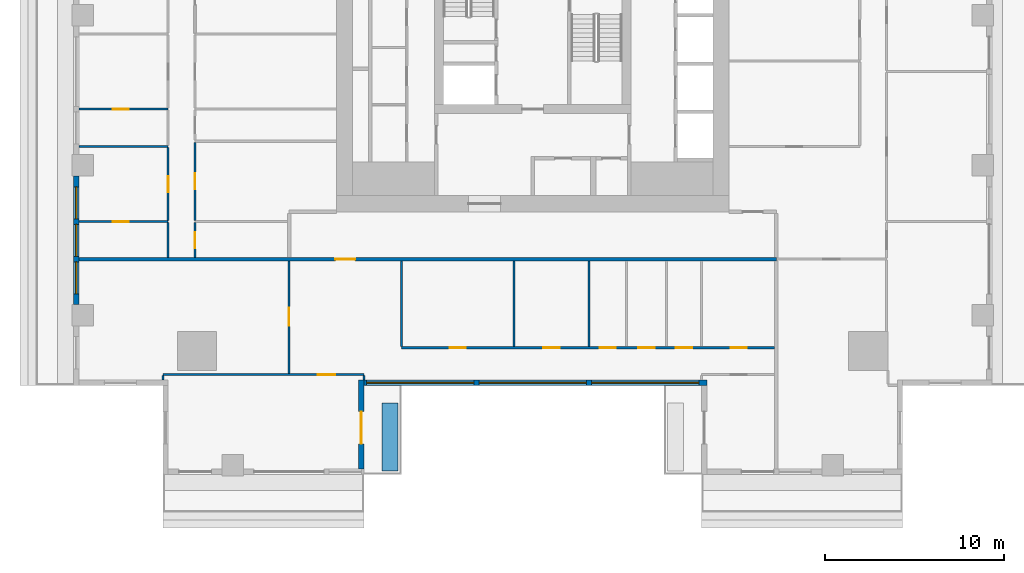
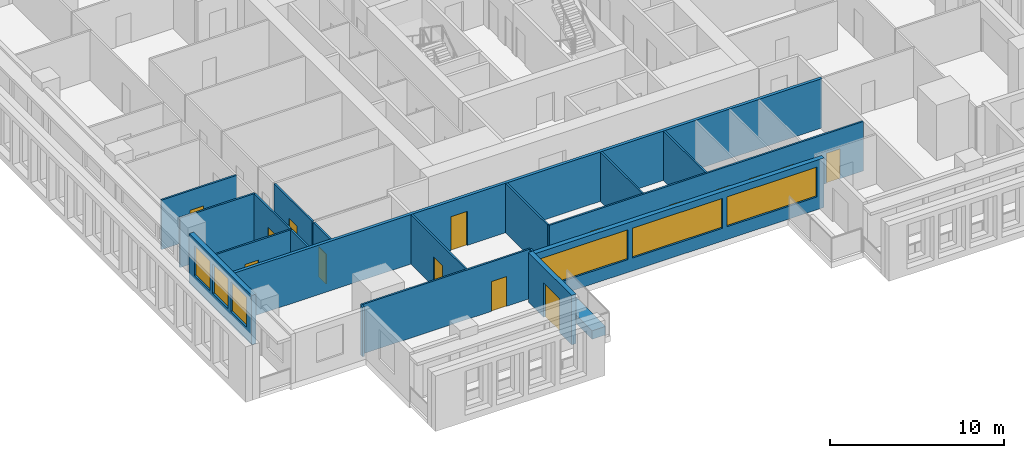
# One storey, part 2 of 14: 20 walls, 15 doors, 6 windows, 21 openings.
"""IFC4 building model written with IfcOpenShell, lengths in metres."""

from ifc_helpers import new_model, si_unit, direction, frame, frame_2d, origin, place, context, subcontext, project, spatial, rectangle, extrude, material, layer, layer_set, type_object, element, fill, save


model = new_model("IFC4")

# Units and contexts
model_context = context("Model", 3, precision=1e-05, world=origin(), true_north=direction((0.0, 1.0)))
body_context = subcontext(model_context, "Body", "Model", "MODEL_VIEW")
ifc_project = project(units=[si_unit("LENGTHUNIT", "METRE"), si_unit("AREAUNIT", "SQUARE_METRE"), si_unit("VOLUMEUNIT", "CUBIC_METRE"), si_unit("PLANEANGLEUNIT", "RADIAN"), si_unit("MASSUNIT", "GRAM", prefix="KILO")], contexts=[model_context])

# Site, building, storey
site_placement = place(None, origin())
site = spatial("IfcSite", under=ifc_project, at=site_placement, CompositionType="ELEMENT")
building_placement = place(site_placement, origin())
building = spatial("IfcBuilding", under=site, at=building_placement, Name="Khepri Terraces", CompositionType="ELEMENT")
storey_placement = place(building_placement, frame((0.0, 0.0, 264.0)))
storey = spatial("IfcBuildingStorey", under=building, at=storey_placement, Name="L63", CompositionType="ELEMENT", Elevation=264.0)

# Wall, opening, door
ifc_material_1 = material(Name="Fire-rated gypsum plasterboard partition, mineral wool")
ifc_layer_1 = layer(ifc_material_1, 0.199951171875, Name="Fire-rated gypsum plasterboard partition, mineral wool")
ifc_layer_set_1 = layer_set([ifc_layer_1], Name="Fire-rated gypsum plasterboard partition, mineral wool")
wall_type_1 = type_object("IfcWallType", Name="WL-CORR-200", PredefinedType="PARTITIONING", material=ifc_layer_set_1)
wall_1_placement = place(storey_placement, frame((-25.419921875, -13.64990234375, 0.0), z_axis=(0.0, 0.0, 1.0), x_axis=(1.0, 0.0, 0.0)))
wall_1 = element("IfcWall", 1, at=wall_1_placement, inside=storey, type_object=wall_type_1, Name="Partition P-018 L63", PredefinedType="PARTITIONING", context=body_context, shape_type="SweptSolid", body=[
    extrude(rectangle(XDim=39.06982421875, YDim=0.199951171875, at=frame_2d((19.534912109375, 0.0))), origin(), (0.0, 0.0, 1.0), 3.47998046875),
])
opening_1_placement = place(wall_1_placement, frame((14.3701171875, 0.0, 0.0)))
opening_1 = element("IfcOpeningElement", 2, at=opening_1_placement, cuts=wall_1, Name="Opening D1", PredefinedType="OPENING", context=body_context, shape_type="SweptSolid", body=[
    extrude(rectangle(XDim=1.10009765625, YDim=2.39990234375, at=frame_2d((0.550048828125, 1.199951171875))), frame((0.0, 0.10986328125, 0.0), z_axis=(0.0, -1.0, 0.0), x_axis=(1.0, 0.0, 0.0)), (0.0, 0.0, 1.0), 0.219970703125),
])
ifc_material_2 = material(Name="Solid-core timber door leaf, flat entrance door", Category="wood")
door_type_1 = type_object("IfcDoorType", Name="DR-ENT-1100", OperationType="NOTDEFINED", PredefinedType="DOOR", material=ifc_material_2)
door_1_placement = place(opening_1_placement, frame((1.10009765625, 0.0, 0.0), z_axis=(0.0, 0.0, 1.0), x_axis=(-1.0, 0.0, 0.0)))
door_1 = element("IfcDoor", 3, at=door_1_placement, inside=storey, type_object=door_type_1, Name="Flat A1 entrance door", OperationType="SINGLE_SWING_RIGHT", OverallHeight=2.39990234375, OverallWidth=1.10009765625, PredefinedType="DOOR", context=body_context, shape_type="SweptSolid", body=[
    extrude(rectangle(XDim=1.10009765625, YDim=2.39990234375, at=frame_2d((0.550048828125, 1.199951171875))), frame((0.0, 0.02490234375, 0.0), z_axis=(0.0, -1.0, 0.0), x_axis=(1.0, 0.0, 0.0)), (0.0, 0.0, 1.0), 0.050048828125),
])
fill(opening_1, door_1)

# Wall, openings, windows
ifc_material_3 = material(Name="Precast concrete C50/60 warm stone", Category="masonry")
ifc_layer_2 = layer(ifc_material_3, 0.300048828125, Name="Precast concrete C50/60 warm stone", Category="masonry")
ifc_layer_set_2 = layer_set([ifc_layer_2], Name="Precast concrete C50/60 warm stone")
wall_type_2 = type_object("IfcWallType", Name="WL-EXT-PRECAST-300", PredefinedType="STANDARD", material=ifc_layer_set_2)
wall_2_placement = place(storey_placement, frame((-25.570068359375, -9.0, 0.0), z_axis=(0.0, 0.0, 1.0), x_axis=(0.0, -1.0, 0.0)))
wall_2 = element("IfcWall", 4, at=wall_2_placement, inside=storey, type_object=wall_type_2, Name="External wall L63 W", PredefinedType="STANDARD", context=body_context, shape_type="SweptSolid", body=[
    extrude(rectangle(XDim=7.199951171875, YDim=0.300048828125, at=frame_2d((3.60009765625, 0.0))), origin(), (0.0, 0.0, 1.0), 3.47998046875),
])
opening_2_placement = place(wall_2_placement, frame((0.60009765625, 0.0, 0.89990234375)))
opening_2 = element("IfcOpeningElement", 5, at=opening_2_placement, cuts=wall_2, Name="Opening W1", PredefinedType="OPENING", context=body_context, shape_type="SweptSolid", body=[
    extrude(rectangle(XDim=1.800048828125, YDim=2.10009765625, at=frame_2d((0.89990234375, 1.050048828125))), frame((0.0, 0.16015625, 0.0), z_axis=(0.0, -1.0, 0.0), x_axis=(1.0, 0.0, 0.0)), (0.0, 0.0, 1.0), 0.320068359375),
])
opening_3_placement = place(wall_2_placement, frame((2.699951171875, 0.0, 0.89990234375)))
opening_3 = element("IfcOpeningElement", 6, at=opening_3_placement, cuts=wall_2, Name="Opening W1", PredefinedType="OPENING", context=body_context, shape_type="SweptSolid", body=[
    extrude(rectangle(XDim=1.800048828125, YDim=2.10009765625, at=frame_2d((0.89990234375, 1.050048828125))), frame((0.0, 0.16015625, 0.0), z_axis=(0.0, -1.0, 0.0), x_axis=(1.0, 0.0, 0.0)), (0.0, 0.0, 1.0), 0.320068359375),
])
opening_4_placement = place(wall_2_placement, frame((4.800048828125, 0.0, 0.89990234375)))
opening_4 = element("IfcOpeningElement", 7, at=opening_4_placement, cuts=wall_2, Name="Opening W1", PredefinedType="OPENING", context=body_context, shape_type="SweptSolid", body=[
    extrude(rectangle(XDim=1.800048828125, YDim=2.10009765625, at=frame_2d((0.89990234375, 1.050048828125))), frame((0.0, 0.16015625, 0.0), z_axis=(0.0, -1.0, 0.0), x_axis=(1.0, 0.0, 0.0)), (0.0, 0.0, 1.0), 0.320068359375),
])
ifc_material_4 = material(Name="Clear glass", Category="glass")
window_type_1 = type_object("IfcWindowType", Name="WIN-RES-1800x2100", PartitioningType="SINGLE_PANEL", PredefinedType="WINDOW", material=ifc_material_4)
window_1_placement = place(opening_2_placement, origin())
window_1 = element("IfcWindow", 8, at=window_1_placement, inside=storey, type_object=window_type_1, Name="Window L63 W", OverallHeight=2.10009765625, OverallWidth=1.800048828125, PartitioningType="SINGLE_PANEL", PredefinedType="WINDOW", context=body_context, shape_type="SweptSolid", body=[
    extrude(rectangle(XDim=1.800048828125, YDim=2.10009765625, at=frame_2d((0.89990234375, 1.050048828125))), frame((0.0, 0.030029296875, 0.0), z_axis=(0.0, -1.0, 0.0), x_axis=(1.0, 0.0, 0.0)), (0.0, 0.0, 1.0), 0.06005859375),
])
fill(opening_2, window_1)
window_2_placement = place(opening_3_placement, origin())
window_2 = element("IfcWindow", 9, at=window_2_placement, inside=storey, type_object=window_type_1, Name="Window L63 W", OverallHeight=2.10009765625, OverallWidth=1.800048828125, PartitioningType="SINGLE_PANEL", PredefinedType="WINDOW", context=body_context, shape_type="SweptSolid", body=[
    extrude(rectangle(XDim=1.800048828125, YDim=2.10009765625, at=frame_2d((0.89990234375, 1.050048828125))), frame((0.0, 0.030029296875, 0.0), z_axis=(0.0, -1.0, 0.0), x_axis=(1.0, 0.0, 0.0)), (0.0, 0.0, 1.0), 0.06005859375),
])
fill(opening_3, window_2)
window_3_placement = place(opening_4_placement, origin())
window_3 = element("IfcWindow", 10, at=window_3_placement, inside=storey, type_object=window_type_1, Name="Window L63 W", OverallHeight=2.10009765625, OverallWidth=1.800048828125, PartitioningType="SINGLE_PANEL", PredefinedType="WINDOW", context=body_context, shape_type="SweptSolid", body=[
    extrude(rectangle(XDim=1.800048828125, YDim=2.10009765625, at=frame_2d((0.89990234375, 1.050048828125))), frame((0.0, 0.030029296875, 0.0), z_axis=(0.0, -1.0, 0.0), x_axis=(1.0, 0.0, 0.0)), (0.0, 0.0, 1.0), 0.06005859375),
])
fill(opening_4, window_3)

# Wall, opening, door
wall_3_placement = place(storey_placement, frame((-9.60009765625, -25.419921875, 0.0), z_axis=(0.0, 0.0, 1.0), x_axis=(0.0, 1.0, 0.0)))
wall_3 = element("IfcWall", 11, at=wall_3_placement, inside=storey, type_object=wall_type_2, Name="External wall L63 E", PredefinedType="STANDARD", context=body_context, shape_type="SweptSolid", body=[
    extrude(rectangle(XDim=5.0, YDim=0.300048828125, at=frame_2d((2.5, 0.0))), origin(), (0.0, 0.0, 1.0), 3.47998046875),
])
opening_5_placement = place(wall_3_placement, frame((1.419921875, 0.0, 0.0)))
opening_5 = element("IfcOpeningElement", 12, at=opening_5_placement, cuts=wall_3, Name="Opening ED-L63-17", PredefinedType="OPENING", context=body_context, shape_type="SweptSolid", body=[
    extrude(rectangle(XDim=1.800048828125, YDim=2.39990234375, at=frame_2d((0.89990234375, 1.199951171875))), frame((0.0, 0.16015625, 0.0), z_axis=(0.0, -1.0, 0.0), x_axis=(1.0, 0.0, 0.0)), (0.0, 0.0, 1.0), 0.320068359375),
])
ifc_material_5 = material(Name="Anodised aluminium bronze glazed door", Category="aluminium")
door_type_2 = type_object("IfcDoorType", Name="DR-BAL-SLIDE-1800x2400", OperationType="NOTDEFINED", PredefinedType="DOOR", material=ifc_material_5)
door_2_placement = place(opening_5_placement, origin())
door_2 = element("IfcDoor", 13, at=door_2_placement, inside=storey, type_object=door_type_2, Name="Balcony door L63 E", OperationType="SLIDING_TO_LEFT", OverallHeight=2.39990234375, OverallWidth=1.800048828125, PredefinedType="DOOR", context=body_context, shape_type="SweptSolid", body=[
    extrude(rectangle(XDim=1.800048828125, YDim=2.39990234375, at=frame_2d((0.89990234375, 1.199951171875))), frame((0.0, 0.02490234375, 0.0), z_axis=(0.0, -1.0, 0.0), x_axis=(1.0, 0.0, 0.0)), (0.0, 0.0, 1.0), 0.050048828125),
])
fill(opening_5, door_2)

# Wall, openings, windows
wall_4_placement = place(storey_placement, frame((-9.449951171875, -20.570068359375, 0.0), z_axis=(0.0, 0.0, 1.0), x_axis=(1.0, 0.0, 0.0)))
wall_4 = element("IfcWall", 14, at=wall_4_placement, inside=storey, type_object=wall_type_2, Name="External wall L63 S", PredefinedType="STANDARD", context=body_context, shape_type="SweptSolid", body=[
    extrude(rectangle(XDim=19.199951171875, YDim=0.300048828125, at=frame_2d((9.60009765625, 0.0))), origin(), (0.0, 0.0, 1.0), 3.47998046875),
])
opening_6_placement = place(wall_4_placement, frame((0.14990234375, 0.0, 0.89990234375)))
opening_6 = element("IfcOpeningElement", 15, at=opening_6_placement, cuts=wall_4, Name="Opening W3", PredefinedType="OPENING", context=body_context, shape_type="SweptSolid", body=[
    extrude(rectangle(XDim=6.0, YDim=2.10009765625, at=frame_2d((3.0, 1.050048828125))), frame((0.0, 0.16015625, 0.0), z_axis=(0.0, -1.0, 0.0), x_axis=(1.0, 0.0, 0.0)), (0.0, 0.0, 1.0), 0.320068359375),
])
opening_7_placement = place(wall_4_placement, frame((6.449951171875, 0.0, 0.89990234375)))
opening_7 = element("IfcOpeningElement", 16, at=opening_7_placement, cuts=wall_4, Name="Opening W3", PredefinedType="OPENING", context=body_context, shape_type="SweptSolid", body=[
    extrude(rectangle(XDim=6.0, YDim=2.10009765625, at=frame_2d((3.0, 1.050048828125))), frame((0.0, 0.16015625, 0.0), z_axis=(0.0, -1.0, 0.0), x_axis=(1.0, 0.0, 0.0)), (0.0, 0.0, 1.0), 0.320068359375),
])
opening_8_placement = place(wall_4_placement, frame((12.75, 0.0, 0.89990234375)))
opening_8 = element("IfcOpeningElement", 17, at=opening_8_placement, cuts=wall_4, Name="Opening W3", PredefinedType="OPENING", context=body_context, shape_type="SweptSolid", body=[
    extrude(rectangle(XDim=6.0, YDim=2.10009765625, at=frame_2d((3.0, 1.050048828125))), frame((0.0, 0.16015625, 0.0), z_axis=(0.0, -1.0, 0.0), x_axis=(1.0, 0.0, 0.0)), (0.0, 0.0, 1.0), 0.320068359375),
])
window_type_2 = type_object("IfcWindowType", Name="WIN-RES-6000x2100", PartitioningType="SINGLE_PANEL", PredefinedType="WINDOW", material=ifc_material_4)
window_4_placement = place(opening_6_placement, origin())
window_4 = element("IfcWindow", 18, at=window_4_placement, inside=storey, type_object=window_type_2, Name="Window L63 S", OverallHeight=2.10009765625, OverallWidth=6.0, PartitioningType="SINGLE_PANEL", PredefinedType="WINDOW", context=body_context, shape_type="SweptSolid", body=[
    extrude(rectangle(XDim=6.0, YDim=2.10009765625, at=frame_2d((3.0, 1.050048828125))), frame((0.0, 0.030029296875, 0.0), z_axis=(0.0, -1.0, 0.0), x_axis=(1.0, 0.0, 0.0)), (0.0, 0.0, 1.0), 0.06005859375),
])
fill(opening_6, window_4)
window_5_placement = place(opening_7_placement, origin())
window_5 = element("IfcWindow", 19, at=window_5_placement, inside=storey, type_object=window_type_2, Name="Window L63 S", OverallHeight=2.10009765625, OverallWidth=6.0, PartitioningType="SINGLE_PANEL", PredefinedType="WINDOW", context=body_context, shape_type="SweptSolid", body=[
    extrude(rectangle(XDim=6.0, YDim=2.10009765625, at=frame_2d((3.0, 1.050048828125))), frame((0.0, 0.030029296875, 0.0), z_axis=(0.0, -1.0, 0.0), x_axis=(1.0, 0.0, 0.0)), (0.0, 0.0, 1.0), 0.06005859375),
])
fill(opening_7, window_5)
window_6_placement = place(opening_8_placement, origin())
window_6 = element("IfcWindow", 20, at=window_6_placement, inside=storey, type_object=window_type_2, Name="Window L63 S", OverallHeight=2.10009765625, OverallWidth=6.0, PartitioningType="SINGLE_PANEL", PredefinedType="WINDOW", context=body_context, shape_type="SweptSolid", body=[
    extrude(rectangle(XDim=6.0, YDim=2.10009765625, at=frame_2d((3.0, 1.050048828125))), frame((0.0, 0.030029296875, 0.0), z_axis=(0.0, -1.0, 0.0), x_axis=(1.0, 0.0, 0.0)), (0.0, 0.0, 1.0), 0.06005859375),
])
fill(opening_8, window_6)

# Walls
ifc_material_6 = material(Name="Gypsum plasterboard partition")
ifc_layer_3 = layer(ifc_material_6, 0.1201171875, Name="Gypsum plasterboard partition")
ifc_layer_set_3 = layer_set([ifc_layer_3], Name="Gypsum plasterboard partition")
wall_type_3 = type_object("IfcWallType", Name="WL-PART-120", PredefinedType="PARTITIONING", material=ifc_layer_set_3)
wall_5_placement = place(storey_placement, frame((-20.718994140625, -20.4208984375, 0.0), z_axis=(0.0, 0.0, 1.0), x_axis=(0.0, 1.0, 0.0)))
element("IfcWall", 21, at=wall_5_placement, inside=storey, type_object=wall_type_3, Name="Partition P-002 L63", PredefinedType="PARTITIONING", context=body_context, shape_type="SweptSolid", body=[
    extrude(rectangle(XDim=0.240966796875, YDim=0.1201171875, at=frame_2d((0.12060546875, 0.0))), origin(), (0.0, 0.0, 1.0), 3.47998046875),
])
wall_6_placement = place(storey_placement, frame((-9.449951171875, -20.419921875, 0.0), z_axis=(0.0, 0.0, 1.0), x_axis=(0.0, 1.0, 0.0)))
element("IfcWall", 22, at=wall_6_placement, inside=storey, type_object=wall_type_3, Name="Partition P-003 L63", PredefinedType="PARTITIONING", context=body_context, shape_type="SweptSolid", body=[
    extrude(rectangle(XDim=0.239990234375, YDim=0.1201171875, at=frame_2d((0.1201171875, 0.0))), origin(), (0.0, 0.0, 1.0), 3.47998046875),
])

# Wall, opening, door
wall_7_placement = place(storey_placement, frame((-20.718994140625, -20.1201171875, 0.0), z_axis=(0.0, 0.0, 1.0), x_axis=(1.0, 0.0, 0.0)))
wall_7 = element("IfcWall", 23, at=wall_7_placement, inside=storey, type_object=wall_type_3, Name="Partition P-007 L63", PredefinedType="PARTITIONING", context=body_context, shape_type="SweptSolid", body=[
    extrude(rectangle(XDim=11.26904296875, YDim=0.1201171875, at=frame_2d((5.634521484375, 0.0))), origin(), (0.0, 0.0, 1.0), 3.47998046875),
])
opening_9_placement = place(wall_7_placement, frame((8.6689453125, 0.0, 0.0)))
opening_9 = element("IfcOpeningElement", 24, at=opening_9_placement, cuts=wall_7, Name="Opening D2", PredefinedType="OPENING", context=body_context, shape_type="SweptSolid", body=[
    extrude(rectangle(XDim=1.0, YDim=2.10009765625, at=frame_2d((0.5, 1.050048828125))), frame((0.0, 0.070068359375, 0.0), z_axis=(0.0, -1.0, 0.0), x_axis=(1.0, 0.0, 0.0)), (0.0, 0.0, 1.0), 0.14013671875),
])
ifc_material_7 = material(Name="Timber door leaf, living room door", Category="wood")
door_type_3 = type_object("IfcDoorType", Name="DR-INT-1000", OperationType="NOTDEFINED", PredefinedType="DOOR", material=ifc_material_7)
door_3_placement = place(opening_9_placement, frame((1.0, 0.0, 0.0), z_axis=(0.0, 0.0, 1.0), x_axis=(-1.0, 0.0, 0.0)))
door_3 = element("IfcDoor", 25, at=door_3_placement, inside=storey, type_object=door_type_3, Name="Door Living Room", OperationType="SINGLE_SWING_LEFT", OverallHeight=2.10009765625, OverallWidth=1.0, PredefinedType="DOOR", context=body_context, shape_type="SweptSolid", body=[
    extrude(rectangle(XDim=1.0, YDim=2.10009765625, at=frame_2d((0.5, 1.050048828125))), frame((0.0, 0.02490234375, 0.0), z_axis=(0.0, -1.0, 0.0), x_axis=(1.0, 0.0, 0.0)), (0.0, 0.0, 1.0), 0.050048828125),
])
fill(opening_9, door_3)

wall_8_placement = place(storey_placement, frame((-13.64990234375, -20.06005859375, 0.0), z_axis=(0.0, 0.0, 1.0), x_axis=(0.0, 1.0, 0.0)))
wall_8 = element("IfcWall", 26, at=wall_8_placement, inside=storey, type_object=wall_type_3, Name="Partition P-009 L63", PredefinedType="PARTITIONING", context=body_context, shape_type="SweptSolid", body=[
    extrude(rectangle(XDim=6.31005859375, YDim=0.1201171875, at=frame_2d((3.155029296875, 0.0))), origin(), (0.0, 0.0, 1.0), 3.47998046875),
])
opening_10_placement = place(wall_8_placement, frame((2.675048828125, 0.0, 0.0)))
opening_10 = element("IfcOpeningElement", 27, at=opening_10_placement, cuts=wall_8, Name="Opening D2", PredefinedType="OPENING", context=body_context, shape_type="SweptSolid", body=[
    extrude(rectangle(XDim=1.0, YDim=2.10009765625, at=frame_2d((0.5, 1.050048828125))), frame((0.0, 0.070068359375, 0.0), z_axis=(0.0, -1.0, 0.0), x_axis=(1.0, 0.0, 0.0)), (0.0, 0.0, 1.0), 0.14013671875),
])
door_4_placement = place(opening_10_placement, origin())
door_4 = element("IfcDoor", 28, at=door_4_placement, inside=storey, type_object=door_type_3, Name="Door Family Room", OperationType="SINGLE_SWING_RIGHT", OverallHeight=2.10009765625, OverallWidth=1.0, PredefinedType="DOOR", context=body_context, shape_type="SweptSolid", body=[
    extrude(rectangle(XDim=1.0, YDim=2.10009765625, at=frame_2d((0.5, 1.050048828125))), frame((0.0, 0.02490234375, 0.0), z_axis=(0.0, -1.0, 0.0), x_axis=(1.0, 0.0, 0.0)), (0.0, 0.0, 1.0), 0.050048828125),
])
fill(opening_10, door_4)

# Wall, openings, doors
wall_9_placement = place(storey_placement, frame((-7.35009765625, -18.6201171875, 0.0), z_axis=(0.0, 0.0, 1.0), x_axis=(1.0, 0.0, 0.0)))
wall_9 = element("IfcWall", 29, at=wall_9_placement, inside=storey, type_object=wall_type_3, Name="Partition P-010 L63", PredefinedType="PARTITIONING", context=body_context, shape_type="SweptSolid", body=[
    extrude(rectangle(XDim=20.900146484375, YDim=0.1201171875, at=frame_2d((10.4501953125, 0.0))), origin(), (0.0, 0.0, 1.0), 3.47998046875),
])
opening_11_placement = place(wall_9_placement, frame((2.699951171875, 0.0, 0.0)))
opening_11 = element("IfcOpeningElement", 30, at=opening_11_placement, cuts=wall_9, Name="Opening D3", PredefinedType="OPENING", context=body_context, shape_type="SweptSolid", body=[
    extrude(rectangle(XDim=0.89990234375, YDim=2.10009765625, at=frame_2d((0.449951171875, 1.050048828125))), frame((0.0, 0.070068359375, 0.0), z_axis=(0.0, -1.0, 0.0), x_axis=(1.0, 0.0, 0.0)), (0.0, 0.0, 1.0), 0.14013671875),
])
opening_12_placement = place(wall_9_placement, frame((7.949951171875, 0.0, 0.0)))
opening_12 = element("IfcOpeningElement", 31, at=opening_12_placement, cuts=wall_9, Name="Opening D3", PredefinedType="OPENING", context=body_context, shape_type="SweptSolid", body=[
    extrude(rectangle(XDim=0.89990234375, YDim=2.10009765625, at=frame_2d((0.449951171875, 1.050048828125))), frame((0.0, 0.070068359375, 0.0), z_axis=(0.0, -1.0, 0.0), x_axis=(1.0, 0.0, 0.0)), (0.0, 0.0, 1.0), 0.14013671875),
])
opening_13_placement = place(wall_9_placement, frame((11.10009765625, 0.0, 0.0)))
opening_13 = element("IfcOpeningElement", 32, at=opening_13_placement, cuts=wall_9, Name="Opening D3", PredefinedType="OPENING", context=body_context, shape_type="SweptSolid", body=[
    extrude(rectangle(XDim=0.89990234375, YDim=2.10009765625, at=frame_2d((0.449951171875, 1.050048828125))), frame((0.0, 0.070068359375, 0.0), z_axis=(0.0, -1.0, 0.0), x_axis=(1.0, 0.0, 0.0)), (0.0, 0.0, 1.0), 0.14013671875),
])
opening_14_placement = place(wall_9_placement, frame((13.27490234375, 0.0, 0.0)))
opening_14 = element("IfcOpeningElement", 33, at=opening_14_placement, cuts=wall_9, Name="Opening D4", PredefinedType="OPENING", context=body_context, shape_type="SweptSolid", body=[
    extrude(rectangle(XDim=0.89990234375, YDim=2.10009765625, at=frame_2d((0.449951171875, 1.050048828125))), frame((0.0, 0.070068359375, 0.0), z_axis=(0.0, -1.0, 0.0), x_axis=(1.0, 0.0, 0.0)), (0.0, 0.0, 1.0), 0.14013671875),
])
opening_15_placement = place(wall_9_placement, frame((15.375, 0.0, 0.0)))
opening_15 = element("IfcOpeningElement", 34, at=opening_15_placement, cuts=wall_9, Name="Opening D4", PredefinedType="OPENING", context=body_context, shape_type="SweptSolid", body=[
    extrude(rectangle(XDim=0.89990234375, YDim=2.10009765625, at=frame_2d((0.449951171875, 1.050048828125))), frame((0.0, 0.070068359375, 0.0), z_axis=(0.0, -1.0, 0.0), x_axis=(1.0, 0.0, 0.0)), (0.0, 0.0, 1.0), 0.14013671875),
])
opening_16_placement = place(wall_9_placement, frame((18.449951171875, 0.0, 0.0)))
opening_16 = element("IfcOpeningElement", 35, at=opening_16_placement, cuts=wall_9, Name="Opening D3", PredefinedType="OPENING", context=body_context, shape_type="SweptSolid", body=[
    extrude(rectangle(XDim=0.89990234375, YDim=2.10009765625, at=frame_2d((0.449951171875, 1.050048828125))), frame((0.0, 0.070068359375, 0.0), z_axis=(0.0, -1.0, 0.0), x_axis=(1.0, 0.0, 0.0)), (0.0, 0.0, 1.0), 0.14013671875),
])
ifc_material_8 = material(Name="Timber door leaf", Category="wood")
door_type_4 = type_object("IfcDoorType", Name="DR-INT-900", OperationType="NOTDEFINED", PredefinedType="DOOR", material=ifc_material_8)
door_5_placement = place(opening_11_placement, origin())
door_5 = element("IfcDoor", 36, at=door_5_placement, inside=storey, type_object=door_type_4, Name="Door Kitchen", OperationType="SINGLE_SWING_LEFT", OverallHeight=2.10009765625, OverallWidth=0.89990234375, PredefinedType="DOOR", context=body_context, shape_type="SweptSolid", body=[
    extrude(rectangle(XDim=0.89990234375, YDim=2.10009765625, at=frame_2d((0.449951171875, 1.050048828125))), frame((0.0, 0.02490234375, 0.0), z_axis=(0.0, -1.0, 0.0), x_axis=(1.0, 0.0, 0.0)), (0.0, 0.0, 1.0), 0.050048828125),
])
fill(opening_11, door_5)
door_6_placement = place(opening_12_placement, origin())
door_6 = element("IfcDoor", 37, at=door_6_placement, inside=storey, type_object=door_type_4, Name="Door Service Store", OperationType="SINGLE_SWING_LEFT", OverallHeight=2.10009765625, OverallWidth=0.89990234375, PredefinedType="DOOR", context=body_context, shape_type="SweptSolid", body=[
    extrude(rectangle(XDim=0.89990234375, YDim=2.10009765625, at=frame_2d((0.449951171875, 1.050048828125))), frame((0.0, 0.02490234375, 0.0), z_axis=(0.0, -1.0, 0.0), x_axis=(1.0, 0.0, 0.0)), (0.0, 0.0, 1.0), 0.050048828125),
])
fill(opening_12, door_6)
door_7_placement = place(opening_13_placement, origin())
door_7 = element("IfcDoor", 38, at=door_7_placement, inside=storey, type_object=door_type_4, Name="Door Utility Room", OperationType="SINGLE_SWING_RIGHT", OverallHeight=2.10009765625, OverallWidth=0.89990234375, PredefinedType="DOOR", context=body_context, shape_type="SweptSolid", body=[
    extrude(rectangle(XDim=0.89990234375, YDim=2.10009765625, at=frame_2d((0.449951171875, 1.050048828125))), frame((0.0, 0.02490234375, 0.0), z_axis=(0.0, -1.0, 0.0), x_axis=(1.0, 0.0, 0.0)), (0.0, 0.0, 1.0), 0.050048828125),
])
fill(opening_13, door_7)
door_8_placement = place(opening_16_placement, origin())
door_8 = element("IfcDoor", 39, at=door_8_placement, inside=storey, type_object=door_type_4, Name="Door Staff Bedroom", OperationType="SINGLE_SWING_RIGHT", OverallHeight=2.10009765625, OverallWidth=0.89990234375, PredefinedType="DOOR", context=body_context, shape_type="SweptSolid", body=[
    extrude(rectangle(XDim=0.89990234375, YDim=2.10009765625, at=frame_2d((0.449951171875, 1.050048828125))), frame((0.0, 0.02490234375, 0.0), z_axis=(0.0, -1.0, 0.0), x_axis=(1.0, 0.0, 0.0)), (0.0, 0.0, 1.0), 0.050048828125),
])
fill(opening_16, door_8)
ifc_material_9 = material(Name="Timber door leaf, moisture resistant", Category="wood")
door_type_5 = type_object("IfcDoorType", Name="DR-WET-900", OperationType="NOTDEFINED", PredefinedType="DOOR", material=ifc_material_9)
door_9_placement = place(opening_14_placement, origin())
door_9 = element("IfcDoor", 40, at=door_9_placement, inside=storey, type_object=door_type_5, Name="Door Powder Room", OperationType="SINGLE_SWING_RIGHT", OverallHeight=2.10009765625, OverallWidth=0.89990234375, PredefinedType="DOOR", context=body_context, shape_type="SweptSolid", body=[
    extrude(rectangle(XDim=0.89990234375, YDim=2.10009765625, at=frame_2d((0.449951171875, 1.050048828125))), frame((0.0, 0.02490234375, 0.0), z_axis=(0.0, -1.0, 0.0), x_axis=(1.0, 0.0, 0.0)), (0.0, 0.0, 1.0), 0.050048828125),
])
fill(opening_14, door_9)
door_10_placement = place(opening_15_placement, origin())
door_10 = element("IfcDoor", 41, at=door_10_placement, inside=storey, type_object=door_type_5, Name="Door Guest Bathroom", OperationType="SINGLE_SWING_RIGHT", OverallHeight=2.10009765625, OverallWidth=0.89990234375, PredefinedType="DOOR", context=body_context, shape_type="SweptSolid", body=[
    extrude(rectangle(XDim=0.89990234375, YDim=2.10009765625, at=frame_2d((0.449951171875, 1.050048828125))), frame((0.0, 0.02490234375, 0.0), z_axis=(0.0, -1.0, 0.0), x_axis=(1.0, 0.0, 0.0)), (0.0, 0.0, 1.0), 0.050048828125),
])
fill(opening_15, door_10)

# Walls
for number, where, z_axis, x_axis, name in (
    (42, (-7.35009765625, -18.56005859375, 0.0), (0.0, 0.0, 1.0), (0.0, 1.0, 0.0), "Partition P-011 L63"),
    (43, (-1.050048828125, -18.56005859375, 0.0), (0.0, 0.0, 1.0), (0.0, 1.0, 0.0), "Partition P-012 L63"),
    (44, (3.14990234375, -18.56005859375, 0.0), (0.0, 0.0, 1.0), (0.0, 1.0, 0.0), "Partition P-013 L63"),
):
    element("IfcWall", number, at=place(storey_placement, frame(where, z_axis=z_axis, x_axis=x_axis)), inside=storey, type_object=wall_type_3, Name=name, PredefinedType="PARTITIONING", context=body_context, shape_type="SweptSolid", body=[
        extrude(rectangle(XDim=4.81005859375, YDim=0.1201171875, at=frame_2d((2.405029296875, 0.0))), origin(), (0.0, 0.0, 1.0), 3.47998046875),
    ])
wall_10_placement = place(storey_placement, frame((-20.419921875, -13.550048828125, 0.0), z_axis=(0.0, 0.0, 1.0), x_axis=(0.0, 1.0, 0.0)))
element("IfcWall", 45, at=wall_10_placement, inside=storey, type_object=wall_type_3, Name="Partition P-021 L63", PredefinedType="PARTITIONING", context=body_context, shape_type="SweptSolid", body=[
    extrude(rectangle(XDim=1.93994140625, YDim=0.1201171875, at=frame_2d((0.969970703125, 0.0))), origin(), (0.0, 0.0, 1.0), 3.47998046875),
])

# Wall, opening, door
wall_11_placement = place(storey_placement, frame((-18.919921875, -13.550048828125, 0.0), z_axis=(0.0, 0.0, 1.0), x_axis=(0.0, 1.0, 0.0)))
wall_11 = element("IfcWall", 46, at=wall_11_placement, inside=storey, type_object=wall_type_3, Name="Partition P-022 L63", PredefinedType="PARTITIONING", context=body_context, shape_type="SweptSolid", body=[
    extrude(rectangle(XDim=1.93994140625, YDim=0.1201171875, at=frame_2d((0.969970703125, 0.0))), origin(), (0.0, 0.0, 1.0), 3.47998046875),
])
opening_17_placement = place(wall_11_placement, frame((0.5, 0.0, 0.0)))
opening_17 = element("IfcOpeningElement", 47, at=opening_17_placement, cuts=wall_11, Name="Opening D3", PredefinedType="OPENING", context=body_context, shape_type="SweptSolid", body=[
    extrude(rectangle(XDim=0.89990234375, YDim=2.10009765625, at=frame_2d((0.449951171875, 1.050048828125))), frame((0.0, 0.070068359375, 0.0), z_axis=(0.0, -1.0, 0.0), x_axis=(1.0, 0.0, 0.0)), (0.0, 0.0, 1.0), 0.14013671875),
])
door_11_placement = place(opening_17_placement, frame((0.89990234375, 0.0, 0.0), z_axis=(0.0, 0.0, 1.0), x_axis=(-1.0, 0.0, 0.0)))
door_11 = element("IfcDoor", 48, at=door_11_placement, inside=storey, type_object=door_type_4, Name="Door Utility Room", OperationType="SINGLE_SWING_RIGHT", OverallHeight=2.10009765625, OverallWidth=0.89990234375, PredefinedType="DOOR", context=body_context, shape_type="SweptSolid", body=[
    extrude(rectangle(XDim=0.89990234375, YDim=2.10009765625, at=frame_2d((0.449951171875, 1.050048828125))), frame((0.0, 0.02490234375, 0.0), z_axis=(0.0, -1.0, 0.0), x_axis=(1.0, 0.0, 0.0)), (0.0, 0.0, 1.0), 0.050048828125),
])
fill(opening_17, door_11)

wall_12_placement = place(storey_placement, frame((-25.419921875, -11.550048828125, 0.0), z_axis=(0.0, 0.0, 1.0), x_axis=(1.0, 0.0, 0.0)))
wall_12 = element("IfcWall", 49, at=wall_12_placement, inside=storey, type_object=wall_type_3, Name="Partition P-025 L63", PredefinedType="PARTITIONING", context=body_context, shape_type="SweptSolid", body=[
    extrude(rectangle(XDim=5.0, YDim=0.1201171875, at=frame_2d((2.5, 0.0))), origin(), (0.0, 0.0, 1.0), 3.47998046875),
])
opening_18_placement = place(wall_12_placement, frame((1.89990234375, 0.0, 0.0)))
opening_18 = element("IfcOpeningElement", 50, at=opening_18_placement, cuts=wall_12, Name="Opening D4", PredefinedType="OPENING", context=body_context, shape_type="SweptSolid", body=[
    extrude(rectangle(XDim=0.89990234375, YDim=2.10009765625, at=frame_2d((0.449951171875, 1.050048828125))), frame((0.0, 0.070068359375, 0.0), z_axis=(0.0, -1.0, 0.0), x_axis=(1.0, 0.0, 0.0)), (0.0, 0.0, 1.0), 0.14013671875),
])
door_12_placement = place(opening_18_placement, frame((0.89990234375, 0.0, 0.0), z_axis=(0.0, 0.0, 1.0), x_axis=(-1.0, 0.0, 0.0)))
door_12 = element("IfcDoor", 51, at=door_12_placement, inside=storey, type_object=door_type_5, Name="Door Bathroom", OperationType="SINGLE_SWING_RIGHT", OverallHeight=2.10009765625, OverallWidth=0.89990234375, PredefinedType="DOOR", context=body_context, shape_type="SweptSolid", body=[
    extrude(rectangle(XDim=0.89990234375, YDim=2.10009765625, at=frame_2d((0.449951171875, 1.050048828125))), frame((0.0, 0.02490234375, 0.0), z_axis=(0.0, -1.0, 0.0), x_axis=(1.0, 0.0, 0.0)), (0.0, 0.0, 1.0), 0.050048828125),
])
fill(opening_18, door_12)

wall_13_placement = place(storey_placement, frame((-20.419921875, -11.489990234375, 0.0), z_axis=(0.0, 0.0, 1.0), x_axis=(0.0, 1.0, 0.0)))
wall_13 = element("IfcWall", 52, at=wall_13_placement, inside=storey, type_object=wall_type_3, Name="Partition P-028 L63", PredefinedType="PARTITIONING", context=body_context, shape_type="SweptSolid", body=[
    extrude(rectangle(XDim=4.080078125, YDim=0.1201171875, at=frame_2d((2.0400390625, 0.0))), origin(), (0.0, 0.0, 1.0), 3.47998046875),
])
opening_19_placement = place(wall_13_placement, frame((1.590087890625, 0.0, 0.0)))
opening_19 = element("IfcOpeningElement", 53, at=opening_19_placement, cuts=wall_13, Name="Opening D3", PredefinedType="OPENING", context=body_context, shape_type="SweptSolid", body=[
    extrude(rectangle(XDim=0.89990234375, YDim=2.10009765625, at=frame_2d((0.449951171875, 1.050048828125))), frame((0.0, 0.070068359375, 0.0), z_axis=(0.0, -1.0, 0.0), x_axis=(1.0, 0.0, 0.0)), (0.0, 0.0, 1.0), 0.14013671875),
])
door_13_placement = place(opening_19_placement, origin())
door_13 = element("IfcDoor", 54, at=door_13_placement, inside=storey, type_object=door_type_4, Name="Door Bedroom", OperationType="SINGLE_SWING_RIGHT", OverallHeight=2.10009765625, OverallWidth=0.89990234375, PredefinedType="DOOR", context=body_context, shape_type="SweptSolid", body=[
    extrude(rectangle(XDim=0.89990234375, YDim=2.10009765625, at=frame_2d((0.449951171875, 1.050048828125))), frame((0.0, 0.02490234375, 0.0), z_axis=(0.0, -1.0, 0.0), x_axis=(1.0, 0.0, 0.0)), (0.0, 0.0, 1.0), 0.050048828125),
])
fill(opening_19, door_13)

wall_14_placement = place(storey_placement, frame((-18.919921875, -11.489990234375, 0.0), z_axis=(0.0, 0.0, 1.0), x_axis=(0.0, 1.0, 0.0)))
wall_14 = element("IfcWall", 55, at=wall_14_placement, inside=storey, type_object=wall_type_3, Name="Partition P-029 L63", PredefinedType="PARTITIONING", context=body_context, shape_type="SweptSolid", body=[
    extrude(rectangle(XDim=4.3798828125, YDim=0.1201171875, at=frame_2d((2.18994140625, 0.0))), origin(), (0.0, 0.0, 1.0), 3.47998046875),
])
opening_20_placement = place(wall_14_placement, frame((1.739990234375, 0.0, 0.0)))
opening_20 = element("IfcOpeningElement", 56, at=opening_20_placement, cuts=wall_14, Name="Opening D3", PredefinedType="OPENING", context=body_context, shape_type="SweptSolid", body=[
    extrude(rectangle(XDim=0.89990234375, YDim=2.10009765625, at=frame_2d((0.449951171875, 1.050048828125))), frame((0.0, 0.070068359375, 0.0), z_axis=(0.0, -1.0, 0.0), x_axis=(1.0, 0.0, 0.0)), (0.0, 0.0, 1.0), 0.14013671875),
])
door_14_placement = place(opening_20_placement, frame((0.89990234375, 0.0, 0.0), z_axis=(0.0, 0.0, 1.0), x_axis=(-1.0, 0.0, 0.0)))
door_14 = element("IfcDoor", 57, at=door_14_placement, inside=storey, type_object=door_type_4, Name="Door Utility Room", OperationType="SINGLE_SWING_RIGHT", OverallHeight=2.10009765625, OverallWidth=0.89990234375, PredefinedType="DOOR", context=body_context, shape_type="SweptSolid", body=[
    extrude(rectangle(XDim=0.89990234375, YDim=2.10009765625, at=frame_2d((0.449951171875, 1.050048828125))), frame((0.0, 0.02490234375, 0.0), z_axis=(0.0, -1.0, 0.0), x_axis=(1.0, 0.0, 0.0)), (0.0, 0.0, 1.0), 0.050048828125),
])
fill(opening_20, door_14)

# Wall
wall_15_placement = place(storey_placement, frame((-25.419921875, -7.35009765625, 0.0), z_axis=(0.0, 0.0, 1.0), x_axis=(1.0, 0.0, 0.0)))
element("IfcWall", 58, at=wall_15_placement, inside=storey, type_object=wall_type_3, Name="Partition P-033 L63", PredefinedType="PARTITIONING", context=body_context, shape_type="SweptSolid", body=[
    extrude(rectangle(XDim=5.0, YDim=0.1201171875, at=frame_2d((2.5, 0.0))), origin(), (0.0, 0.0, 1.0), 3.47998046875),
])

# Wall, opening, door
wall_16_placement = place(storey_placement, frame((-25.419921875, -5.25, 0.0), z_axis=(0.0, 0.0, 1.0), x_axis=(1.0, 0.0, 0.0)))
wall_16 = element("IfcWall", 59, at=wall_16_placement, inside=storey, type_object=wall_type_3, Name="Partition P-039 L63", PredefinedType="PARTITIONING", context=body_context, shape_type="SweptSolid", body=[
    extrude(rectangle(XDim=5.0, YDim=0.1201171875, at=frame_2d((2.5, 0.0))), origin(), (0.0, 0.0, 1.0), 3.47998046875),
])
opening_21_placement = place(wall_16_placement, frame((1.89990234375, 0.0, 0.0)))
opening_21 = element("IfcOpeningElement", 60, at=opening_21_placement, cuts=wall_16, Name="Opening D4", PredefinedType="OPENING", context=body_context, shape_type="SweptSolid", body=[
    extrude(rectangle(XDim=0.89990234375, YDim=2.10009765625, at=frame_2d((0.449951171875, 1.050048828125))), frame((0.0, 0.070068359375, 0.0), z_axis=(0.0, -1.0, 0.0), x_axis=(1.0, 0.0, 0.0)), (0.0, 0.0, 1.0), 0.14013671875),
])
door_15_placement = place(opening_21_placement, frame((0.89990234375, 0.0, 0.0), z_axis=(0.0, 0.0, 1.0), x_axis=(-1.0, 0.0, 0.0)))
door_15 = element("IfcDoor", 61, at=door_15_placement, inside=storey, type_object=door_type_5, Name="Door Bathroom", OperationType="SINGLE_SWING_RIGHT", OverallHeight=2.10009765625, OverallWidth=0.89990234375, PredefinedType="DOOR", context=body_context, shape_type="SweptSolid", body=[
    extrude(rectangle(XDim=0.89990234375, YDim=2.10009765625, at=frame_2d((0.449951171875, 1.050048828125))), frame((0.0, 0.02490234375, 0.0), z_axis=(0.0, -1.0, 0.0), x_axis=(1.0, 0.0, 0.0)), (0.0, 0.0, 1.0), 0.050048828125),
])
fill(opening_21, door_15)

# Wall
ifc_layer_4 = layer(ifc_material_3, 0.89990234375, Name="Precast concrete C50/60 warm stone", Category="masonry")
ifc_layer_set_4 = layer_set([ifc_layer_4], Name="Precast concrete C50/60 warm stone")
wall_type_4 = type_object("IfcWallType", Name="WL-PLANTER-900", PredefinedType="MOVABLE", material=ifc_layer_set_4)
wall_17_placement = place(storey_placement, frame((-8.0, -25.52001953125, 0.0), z_axis=(0.0, 0.0, 1.0), x_axis=(0.0, 1.0, 0.0)))
element("IfcWall", 62, at=wall_17_placement, inside=storey, type_object=wall_type_4, Name="Planter L63", PredefinedType="MOVABLE", context=body_context, shape_type="SweptSolid", body=[
    extrude(rectangle(XDim=3.800048828125, YDim=0.89990234375, at=frame_2d((1.89990234375, 0.0))), origin(), (0.0, 0.0, 1.0), 0.60009765625),
])

save(model, "model.ifc")
